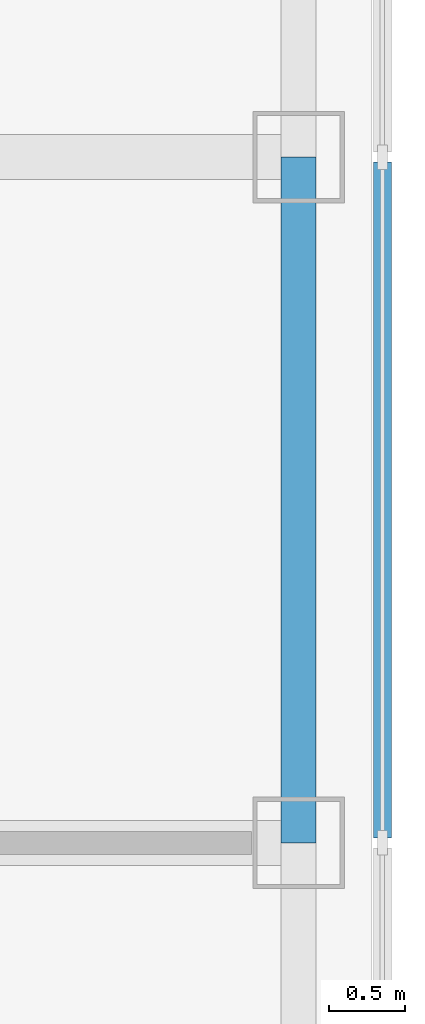
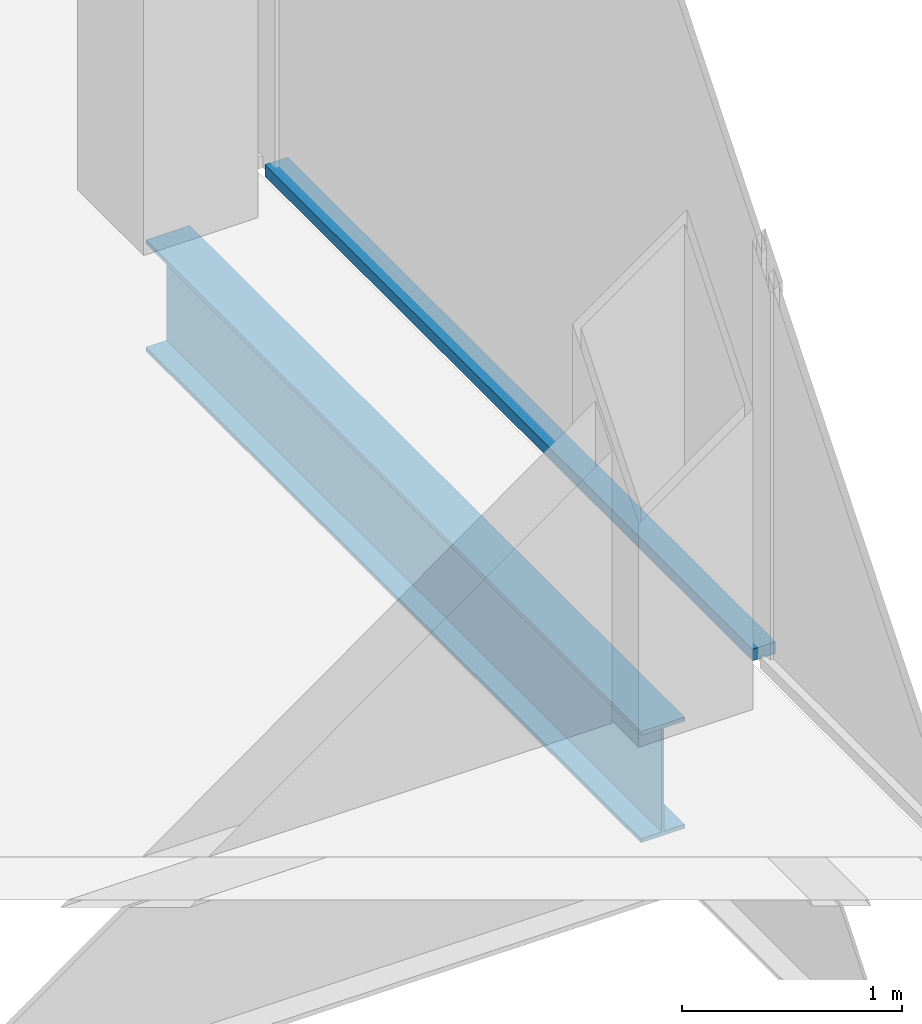
# One storey, part 5 of 14: 1 beam, 1 member, 1 element without a shape of its own.
"""IFC4 building model written with IfcOpenShell, lengths in metres."""

from ifc_helpers import new_model, si_unit, direction, frame, origin, origin_2d, place, context, subcontext, project, spatial, rectangle, i_section, extrude, material, material_profile, profile_set, type_object, element, aggregate, save


model = new_model("IFC4")

# Units and contexts
model_context = context("Model", 3, precision=1e-05, world=origin(), true_north=direction((0.0, 1.0)))
body_context = subcontext(model_context, "Body", "Model", "MODEL_VIEW")
ifc_project = project(units=[si_unit("LENGTHUNIT", "METRE"), si_unit("AREAUNIT", "SQUARE_METRE"), si_unit("VOLUMEUNIT", "CUBIC_METRE"), si_unit("PLANEANGLEUNIT", "RADIAN"), si_unit("MASSUNIT", "GRAM", prefix="KILO")], contexts=[model_context])

# Site, building, storey
site_placement = place(None, origin())
site = spatial("IfcSite", under=ifc_project, at=site_placement, CompositionType="ELEMENT")
building_placement = place(site_placement, origin())
building = spatial("IfcBuilding", under=site, at=building_placement, Name="Corais Broadcast Tower", CompositionType="ELEMENT")
storey_placement = place(building_placement, frame((0.0, 0.0, 278.60009765625)))
storey = spatial("IfcBuildingStorey", under=building, at=storey_placement, Name="L65", CompositionType="ELEMENT", Elevation=278.60009765625)

# Beam
ifc_material_1 = material(Name="Steel ASTM A572 Grade 50", Category="steel")
ifc_material_profile_1 = material_profile(ifc_material_1, i_section(OverallWidth=0.22998046875, OverallDepth=0.616943359375, WebThickness=0.01318359375, FlangeThickness=0.022216796875, at=origin_2d()), Name="W610x140")
ifc_profile_set_1 = profile_set([ifc_material_profile_1], Name="Steel ASTM A572 Grade 50")
beam_type = type_object("IfcBeamType", Name="Spandrel W610x140", PredefinedType="BEAM", material=ifc_profile_set_1)
beam_placement = place(storey_placement, frame((54.0, 27.0, -0.468505859375), z_axis=(0.0, 1.0, 0.0), x_axis=(-1.0, 0.0, 0.0)))
element("IfcBeam", 1, at=beam_placement, inside=storey, type_object=beam_type, Name="SB3 G/15 to H/15", PredefinedType="BEAM", context=body_context, shape_type="SweptSolid", body=[
    extrude(i_section(OverallWidth=0.22998046875, OverallDepth=0.616943359375, WebThickness=0.01318359375, FlangeThickness=0.022216796875, at=origin_2d()), origin(), (0.0, 0.0, 1.0), 4.5),
])

# Curtain wall, member
ifc_material_2 = material(Name="Aluminium and glass", Category="aluminium")
curtain_wall_type = type_object("IfcCurtainWallType", Name="Unitised fritted curtain wall CW3", PredefinedType="NOTDEFINED", material=ifc_material_2)
curtain_wall_placement = place(storey_placement, origin())
curtain_wall = element("IfcCurtainWall", 2, at=curtain_wall_placement, inside=storey, type_object=curtain_wall_type, Name="CW3 curtain wall L65 6", PredefinedType="NOTDEFINED")
ifc_material_3 = material(Name="Aluminium 6063-T6", Category="aluminium")
ifc_material_profile_2 = material_profile(ifc_material_3, rectangle(XDim=0.1201171875, YDim=0.06494140625, at=origin_2d()), Name="Transom CW3 65x120")
ifc_profile_set_2 = profile_set([ifc_material_profile_2], Name="Aluminium 6063-T6")
member_type = type_object("IfcMemberType", Name="Transom CW3 65x120", PredefinedType="USERDEFINED", material=ifc_profile_set_2)
member_placement = place(storey_placement, frame((54.550048828125, 31.467529296875, 0.032470703125), z_axis=(0.0, -1.0, 0.0), x_axis=(1.0, 0.0, 0.0)))
member = element("IfcMember", 3, at=member_placement, type_object=member_type, Name="CW3 transom 3.1", ObjectType="TRANSOM", PredefinedType="USERDEFINED", context=body_context, shape_type="SweptSolid", body=[
    extrude(rectangle(XDim=0.1201171875, YDim=0.06494140625, at=origin_2d()), origin(), (0.0, 0.0, 1.0), 4.43505859375),
])
aggregate(curtain_wall, [member])

save(model, "model.ifc")
